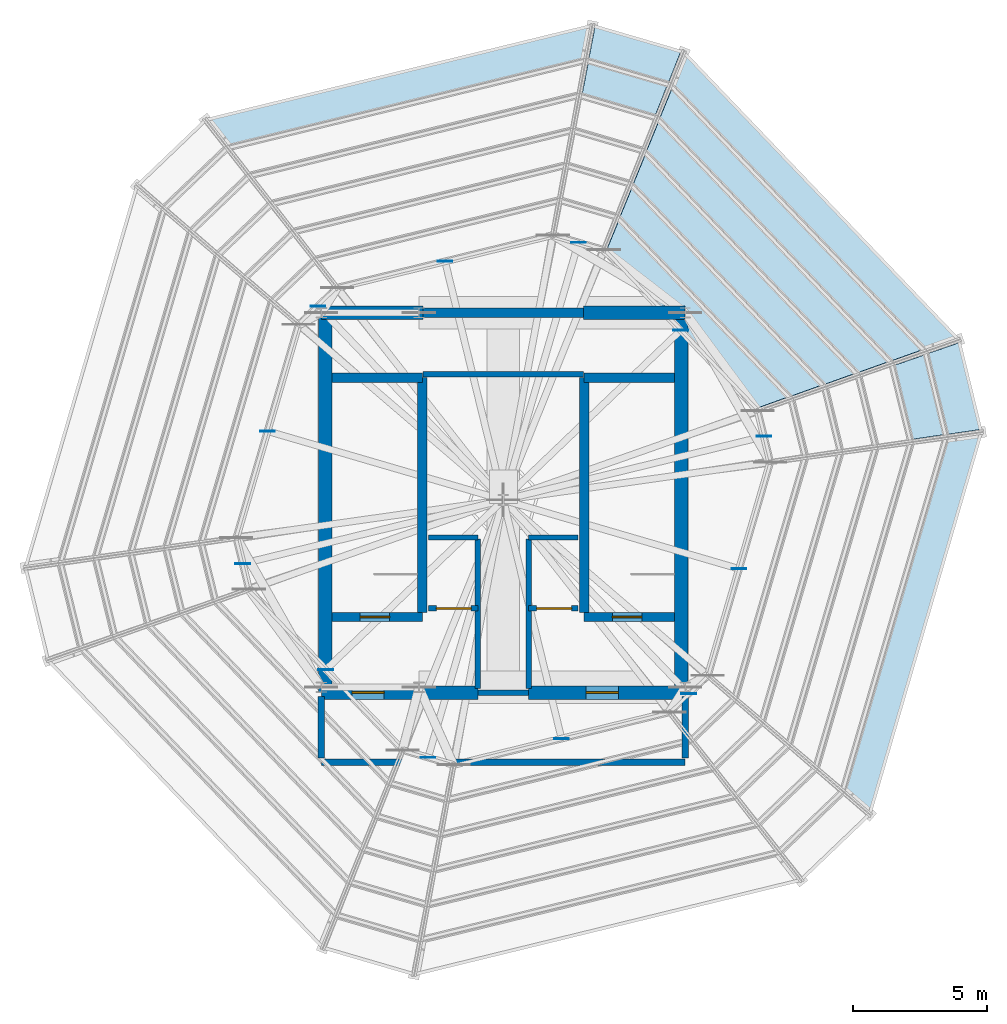
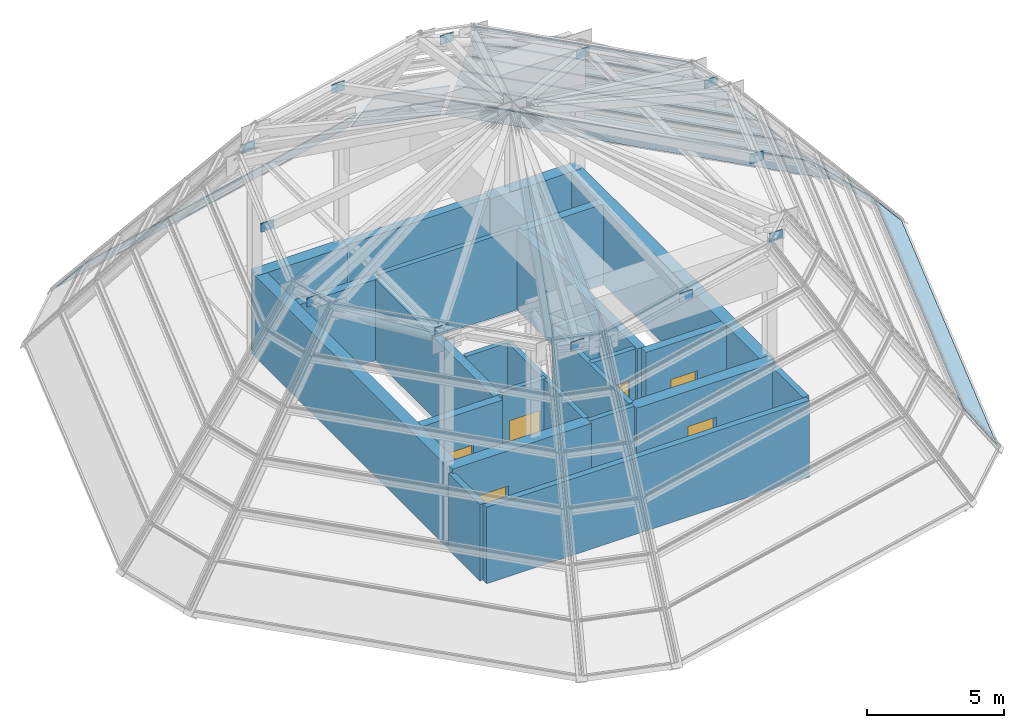
# One storey, part 12 of 13: 24 plates, 24 walls, 6 doors, 6 openings, 12 elements without a shape of their own.
"""IFC4 building model written with IfcOpenShell, lengths in metres."""

import ifcopenshell
import ifcopenshell.guid

model = None  # the IFC model being written
_history = None  # IfcOwnerHistory: only IFC2X3 demands one
_inside = {}  # id of a spatial element -> (the spatial element, [elements in it])
_under = {}  # id of a project, library or spatial element -> (it, [spatial elements below it])
_declared = {}  # id of a project -> (the project, [libraries it declares])
_typed = {}  # id of a type object -> (the type object, [elements of that type])
_made_of = {}  # id of a material, layer set ... -> (it, [elements and type objects made of it])


def new_model(schema):
    """Start an empty IFC model of exactly this schema.

    Asked for "IFC4X3", IfcOpenShell would pick the latest addendum, in which some entities
    have other attributes; the version numbers below select the first issue.
    IFC2X3 requires an IfcOwnerHistory on every rooted entity: one is made here for all.
    """
    global model, _history
    if schema == "IFC4X3":
        model = ifcopenshell.file(schema_version=(4, 3, 0, 0))
    else:
        model = ifcopenshell.file(schema=schema)
    _inside.clear()
    _under.clear()
    _declared.clear()
    _typed.clear()
    _made_of.clear()
    _history = None
    if model.schema == "IFC2X3":
        org = make("IfcOrganization", Name="unknown")
        user = make(
            "IfcPersonAndOrganization",
            ThePerson=make("IfcPerson", FamilyName="unknown"),
            TheOrganization=org,
        )
        app = make(
            "IfcApplication",
            ApplicationDeveloper=org,
            Version="unknown",
            ApplicationFullName="unknown",
            ApplicationIdentifier="unknown",
        )
        _history = make(
            "IfcOwnerHistory",
            OwningUser=user,
            OwningApplication=app,
            ChangeAction="ADDED",
            CreationDate=0,
        )
    return model


def make(cls, **values):
    """One entity of the class cls with the attributes given. An attribute that is None is left unset."""
    return model.create_entity(
        cls, **{name: value for name, value in values.items() if value is not None}
    )


def rooted(cls, **values):
    """An entity with a GlobalId (a new one), such as an element, a storey or a relation."""
    return make(cls, GlobalId=ifcopenshell.guid.new(), OwnerHistory=_history, **values)


def si_unit(unit_type, name, prefix=None):
    """IfcSIUnit, for example si_unit("LENGTHUNIT", "METRE", prefix="MILLI")."""
    return make("IfcSIUnit", UnitType=unit_type, Prefix=prefix, Name=name)


def assignment(units):
    """IfcUnitAssignment: the units of a project."""
    return None if units is None else make("IfcUnitAssignment", Units=units)


def point(xyz):
    """IfcCartesianPoint."""
    return None if xyz is None else make("IfcCartesianPoint", Coordinates=xyz)


def direction(xyz):
    """IfcDirection."""
    return None if xyz is None else make("IfcDirection", DirectionRatios=xyz)


def frame(location, z_axis=None, x_axis=None):
    """IfcAxis2Placement3D, a coordinate frame: its origin and axes. An axis left out is left unset."""
    return make(
        "IfcAxis2Placement3D",
        Location=point(location),
        Axis=direction(z_axis),
        RefDirection=direction(x_axis),
    )


def frame_2d(location, x_axis=None):
    """IfcAxis2Placement2D, a coordinate frame in the plane: its origin and x axis."""
    return make(
        "IfcAxis2Placement2D", Location=point(location), RefDirection=direction(x_axis)
    )


def origin():
    """The frame at (0, 0, 0) with its axes left unset."""
    return frame((0.0, 0.0, 0.0))


def origin_2d():
    """The frame at (0, 0) in the plane with its x axis left unset."""
    return frame_2d((0.0, 0.0))


def place(relative_to, where):
    """IfcLocalPlacement: puts the frame where relative to a parent placement (None: the world)."""
    return make(
        "IfcLocalPlacement", PlacementRelTo=relative_to, RelativePlacement=where
    )


def context(
    kind, dimensions, precision=None, world=None, true_north=None, identifier=None
):
    """IfcGeometricRepresentationContext, for example the 3D "Model" context."""
    return make(
        "IfcGeometricRepresentationContext",
        ContextIdentifier=identifier,
        ContextType=kind,
        CoordinateSpaceDimension=dimensions,
        Precision=precision,
        WorldCoordinateSystem=world,
        TrueNorth=true_north,
    )


def subcontext(parent, identifier, kind, view, scale=None):
    """IfcGeometricRepresentationSubContext, for example "Body" below "Model"."""
    return make(
        "IfcGeometricRepresentationSubContext",
        ContextIdentifier=identifier,
        ContextType=kind,
        ParentContext=parent,
        TargetScale=scale,
        TargetView=view,
    )


def project(units=None, contexts=None):
    """IfcProject with its units and contexts."""
    return rooted(
        "IfcProject",
        Name="project",
        RepresentationContexts=contexts,
        UnitsInContext=assignment(units),
    )


def spatial(cls, under=None, at=None, **own):
    """A site, building, storey or space (cls), placed at a placement, below another one or the project."""
    s = rooted(cls, ObjectPlacement=at, **own)
    if under is not None:
        _under.setdefault(under.id(), (under, []))[1].append(s)
    return s


def polyline(points):
    """IfcPolyline through the points."""
    return make("IfcPolyline", Points=[point(p) for p in points])


def profile(cls, at=None, kind="AREA", **sizes):
    """A parametric profile (cls). Its sizes go by their IFC names, for example OverallWidth=200.0."""
    return make(cls, ProfileType=kind, Position=at, **sizes)


def rectangle(**sizes):
    """IfcRectangleProfileDef."""
    return profile("IfcRectangleProfileDef", **sizes)


def outline(outer, holes=None, kind="AREA"):
    """IfcArbitraryClosedProfileDef: a profile drawn as a closed curve; with holes, ...WithVoids."""
    if holes is None:
        return make("IfcArbitraryClosedProfileDef", ProfileType=kind, OuterCurve=outer)
    return make(
        "IfcArbitraryProfileDefWithVoids",
        ProfileType=kind,
        OuterCurve=outer,
        InnerCurves=holes,
    )


def extrude(swept, where, along, depth):
    """IfcExtrudedAreaSolid: the profile swept, set in the frame where, extruded along a direction by depth."""
    return make(
        "IfcExtrudedAreaSolid",
        SweptArea=swept,
        Position=where,
        ExtrudedDirection=direction(along),
        Depth=depth,
    )


def shape(context_of_items, identifier, shape_type, items):
    """IfcShapeRepresentation: the items that make up one representation, for example the "Body"."""
    return make(
        "IfcShapeRepresentation",
        ContextOfItems=context_of_items,
        RepresentationIdentifier=identifier,
        RepresentationType=shape_type,
        Items=items,
    )


def source(mapping_origin, context_of_items, identifier, shape_type, items):
    """IfcRepresentationMap: a shape defined once, which mapped items show again and again."""
    return make(
        "IfcRepresentationMap",
        MappingOrigin=mapping_origin,
        MappedRepresentation=shape(context_of_items, identifier, shape_type, items),
    )


def transform(
    local_origin,
    x_axis=None,
    y_axis=None,
    z_axis=None,
    scale=None,
    scale2=None,
    scale3=None,
    uniform=True,
):
    """IfcCartesianTransformationOperator3D, or its non-uniform kind. x_axis, y_axis, z_axis: its Axis1, 2, 3."""
    if uniform:
        return make(
            "IfcCartesianTransformationOperator3D",
            Axis1=direction(x_axis),
            Axis2=direction(y_axis),
            LocalOrigin=point(local_origin),
            Scale=scale,
            Axis3=direction(z_axis),
        )
    return make(
        "IfcCartesianTransformationOperator3DnonUniform",
        Axis1=direction(x_axis),
        Axis2=direction(y_axis),
        LocalOrigin=point(local_origin),
        Scale=scale,
        Axis3=direction(z_axis),
        Scale2=scale2,
        Scale3=scale3,
    )


def mapped(mapping_source, mapping_target):
    """IfcMappedItem: shows the shape of a source again, moved by a transform."""
    return make(
        "IfcMappedItem", MappingSource=mapping_source, MappingTarget=mapping_target
    )


def material(Name=None, Category=None):
    """IfcMaterial."""
    return make("IfcMaterial", Name=Name, Category=Category)


def layer(
    of_material, thickness, ventilated=None, Name=None, Category=None, Priority=None
):
    """IfcMaterialLayer: one layer of a wall or slab, of a material (None: an air gap)."""
    return make(
        "IfcMaterialLayer",
        Material=of_material,
        LayerThickness=thickness,
        IsVentilated=ventilated,
        Name=Name,
        Category=Category,
        Priority=Priority,
    )


def layer_set(layers, Name=None):
    """IfcMaterialLayerSet."""
    return make("IfcMaterialLayerSet", MaterialLayers=layers, LayerSetName=Name)


def made_of(thing, what):
    """Note that an element or type object is made of a material, layer set ...; save() writes the relation."""
    if what is not None:
        _made_of.setdefault(what.id(), (what, []))[1].append(thing)
    return thing


def type_object(cls, material=None, **own):
    """A type object (cls), such as IfcWallType, which elements share."""
    return made_of(rooted(cls, **own), material)


def element(
    cls,
    number,
    at=None,
    inside=None,
    cuts=None,
    type_object=None,
    material=None,
    context=None,
    identifier="Body",
    shape_type=None,
    held_by="IfcProductDefinitionShape",
    body=None,
    shapes=None,
    **own,
):
    """One element of the class cls, such as IfcWall. Its Tag is "e" and its number.

    at: its placement. inside: the storey or other place that contains it. cuts: it is an
    opening in that element (IfcRelVoidsElement). A single representation is given by context,
    identifier, shape_type and body (its items); several are given by shapes. held_by: the class
    of the entity that holds the representations. save() writes the other relations.
    """
    e = rooted(cls, Tag="e%d" % number, ObjectPlacement=at, **own)
    if body is not None:
        shapes = [shape(context, identifier, shape_type, body)]
    if shapes is not None:
        e.Representation = make(held_by, Representations=shapes)
    if inside is not None:
        _inside.setdefault(inside.id(), (inside, []))[1].append(e)
    if cuts is not None:
        rooted(
            "IfcRelVoidsElement", RelatingBuildingElement=cuts, RelatedOpeningElement=e
        )
    if type_object is not None:
        _typed.setdefault(type_object.id(), (type_object, []))[1].append(e)
    return made_of(e, material)


def fill(opening, filler):
    """IfcRelFillsElement: the door or window that sits in an opening."""
    return rooted(
        "IfcRelFillsElement",
        RelatingOpeningElement=opening,
        RelatedBuildingElement=filler,
    )


def aggregate(whole, parts):
    """IfcRelAggregates: a whole, such as a stair, and the parts it consists of."""
    return rooted("IfcRelAggregates", RelatingObject=whole, RelatedObjects=parts)


def save(model, path):
    """Write the relations noted so far, then the file.

    IfcRelAggregates (storeys below a building ...), IfcRelContainedInSpatialStructure (elements
    in a storey), IfcRelDefinesByType, IfcRelAssociatesMaterial and IfcRelDeclares: one each for
    every whole, place, type object, material and project.
    """
    for whole, parts in _under.values():
        aggregate(whole, parts)
    for where, things in _inside.values():
        rooted(
            "IfcRelContainedInSpatialStructure",
            RelatedElements=things,
            RelatingStructure=where,
        )
    for kind, things in _typed.values():
        rooted("IfcRelDefinesByType", RelatedObjects=things, RelatingType=kind)
    for what, things in _made_of.values():
        rooted("IfcRelAssociatesMaterial", RelatedObjects=things, RelatingMaterial=what)
    for by, libraries in _declared.values():
        rooted("IfcRelDeclares", RelatingContext=by, RelatedDefinitions=libraries)
    model.write(path)


model = new_model("IFC4")

# Units and contexts
model_context = context("Model", 3, precision=1e-05, world=origin(), true_north=direction((0.0, 1.0)))
body_context = subcontext(model_context, "Body", "Model", "MODEL_VIEW")
ifc_project = project(units=[si_unit("LENGTHUNIT", "METRE"), si_unit("AREAUNIT", "SQUARE_METRE"), si_unit("VOLUMEUNIT", "CUBIC_METRE"), si_unit("PLANEANGLEUNIT", "RADIAN"), si_unit("MASSUNIT", "GRAM", prefix="KILO")], contexts=[model_context])

# Site, building, storey
site_placement = place(None, origin())
site = spatial("IfcSite", under=ifc_project, at=site_placement, CompositionType="ELEMENT")
building_placement = place(site_placement, origin())
building = spatial("IfcBuilding", under=site, at=building_placement, Name="Veraguas Prism Commons", CompositionType="ELEMENT")
storey_placement = place(building_placement, frame((0.0, 0.0, 268.89990234375)))
storey = spatial("IfcBuildingStorey", under=building, at=storey_placement, Name="RF", CompositionType="ELEMENT", Elevation=268.89990234375)

# Curtain wall, plate
ifc_material_1 = material(Name="Anodised aluminium EN AW-6063 T6", Category="aluminium")
ifc_layer_1 = layer(ifc_material_1, 0.199951171875, Name="Faceted Glass Point Crown Curtain Wall", Category="aluminium")
ifc_layer_set_1 = layer_set([ifc_layer_1], Name="Anodised aluminium EN AW-6063 T6")
curtain_wall_type = type_object("IfcCurtainWallType", Name="Faceted Glass Point Crown Curtain Wall", PredefinedType="NOTDEFINED", material=ifc_layer_set_1)
curtain_wall_1_placement = place(storey_placement, origin())
curtain_wall_1 = element("IfcCurtainWall", 1, at=curtain_wall_1_placement, inside=storey, type_object=curtain_wall_type, Name="Crown Glass-Point Facet T1-F01", PredefinedType="NOTDEFINED")
ifc_material_2 = material(Name="Laminated low-e glass", Category="glass")
ifc_layer_2 = layer(ifc_material_2, 0.035888671875, Name="Faceted Crown Laminated Glazed Panel 36", Category="glass")
ifc_layer_set_2 = layer_set([ifc_layer_2], Name="Laminated low-e glass")
plate_type_1 = type_object("IfcPlateType", Name="Faceted Crown Laminated Glazed Panel 36", PredefinedType="CURTAIN_PANEL", material=ifc_layer_set_2)
plate_1_placement = place(storey_placement, frame((41.813720703125, 26.632568359375, 0.050048828125), z_axis=(0.745213240657, 0.181945976097, 0.641523879315), x_axis=(-0.237188415422, 0.971463666629, 3.184036e-06)))
plate_1 = element("IfcPlate", 2, at=plate_1_placement, type_object=plate_type_1, Name="CW-CRN Panel 1.1", PredefinedType="CURTAIN_PANEL", context=body_context, shape_type="SweptSolid", body=[
    extrude(outline(polyline([(0.0, 0.0), (3.3349609375, 0.0), (3.21826171875, 1.933837890625), (0.116943359375, 1.933837890625), (0.0, 0.0)])), origin(), (0.0, 0.0, -1.0), 0.035888671875),
])
aggregate(curtain_wall_1, [plate_1])

curtain_wall_2_placement = place(storey_placement, origin())
curtain_wall_2 = element("IfcCurtainWall", 3, at=curtain_wall_2_placement, inside=storey, type_object=curtain_wall_type, Name="Crown Glass-Point Facet T1-F02", PredefinedType="NOTDEFINED")
plate_2_placement = place(storey_placement, frame((40.9208984375, 30.058349609375, 0.050048828125), z_axis=(0.573830750872, 0.548764039567, 0.607927872557), x_axis=(-0.691145761344, 0.722715391129, 7.79206e-07)))
plate_2 = element("IfcPlate", 4, at=plate_2_placement, type_object=plate_type_1, Name="CW-CRN Panel 1.1", PredefinedType="CURTAIN_PANEL", context=body_context, shape_type="SweptSolid", body=[
    extrude(outline(polyline([(0.0, 0.0), (14.63232421875, 0.0), (14.12451171875, 1.8681640625), (0.507568359375, 1.868408203125), (0.0, 0.0)])), origin(), (0.0, 0.0, -1.0), 0.035888671875),
])
aggregate(curtain_wall_2, [plate_2])

curtain_wall_3_placement = place(storey_placement, origin())
curtain_wall_3 = element("IfcCurtainWall", 5, at=curtain_wall_3_placement, inside=storey, type_object=curtain_wall_type, Name="Crown Glass-Point Facet T1-F03", PredefinedType="NOTDEFINED")
plate_3_placement = place(storey_placement, frame((30.626708984375, 40.743408203125, 0.050048828125), z_axis=(0.215068177497, 0.736341527745, 0.641519160701), x_axis=(-0.959897526382, 0.280351098869, 1.4426906e-05)))
plate_3 = element("IfcPlate", 6, at=plate_3_placement, type_object=plate_type_1, Name="CW-CRN Panel 1.1", PredefinedType="CURTAIN_PANEL", context=body_context, shape_type="SweptSolid", body=[
    extrude(outline(polyline([(0.0, 0.0), (3.334716796875, 0.0), (3.218017578125, 1.93359375), (0.11669921875, 1.933837890625), (0.0, 0.0)])), origin(), (0.0, 0.0, -1.0), 0.035888671875),
])
aggregate(curtain_wall_3, [plate_3])

curtain_wall_4_placement = place(storey_placement, origin())
curtain_wall_4 = element("IfcCurtainWall", 7, at=curtain_wall_4_placement, inside=storey, type_object=curtain_wall_type, Name="Crown Glass-Point Facet T1-F04", PredefinedType="NOTDEFINED")
plate_4_placement = place(storey_placement, frame((27.2138671875, 41.68310546875, 0.050048828125), z_axis=(-0.188322034635, 0.771327804383, 0.607937685505), x_axis=(-0.971463650577, -0.237188481163, 3.387106e-06)))
plate_4 = element("IfcPlate", 8, at=plate_4_placement, type_object=plate_type_1, Name="CW-CRN Panel 1.1", PredefinedType="CURTAIN_PANEL", context=body_context, shape_type="SweptSolid", body=[
    extrude(outline(polyline([(0.0, 0.0), (14.63232421875, 0.0), (14.124755859375, 1.8681640625), (0.507568359375, 1.868408203125), (0.0, 0.0)])), origin(), (0.0, 0.0, -1.0), 0.035888671875),
])
aggregate(curtain_wall_4, [plate_4])

curtain_wall_5_placement = place(storey_placement, origin())
curtain_wall_5 = element("IfcCurtainWall", 9, at=curtain_wall_5_placement, inside=storey, type_object=curtain_wall_type, Name="Crown Glass-Point Facet T1-F12", PredefinedType="NOTDEFINED")
plate_5_placement = place(storey_placement, frame((37.70703125, 12.375244140625, 0.050048828125), z_axis=(0.762156839558, -0.222579083692, 0.607927218849), x_axis=(0.280327366951, 0.959904457399, 2.030708e-06)))
plate_5 = element("IfcPlate", 10, at=plate_5_placement, type_object=plate_type_1, Name="CW-CRN Panel 1.1", PredefinedType="CURTAIN_PANEL", context=body_context, shape_type="SweptSolid", body=[
    extrude(outline(polyline([(0.0, 0.0), (14.63232421875, 0.0), (14.125, 1.8681640625), (0.507568359375, 1.868408203125), (0.0, 0.0)])), origin(), (0.0, 0.0, -1.0), 0.035888671875),
])
aggregate(curtain_wall_5, [plate_5])

curtain_wall_6_placement = place(storey_placement, origin())
curtain_wall_6 = element("IfcCurtainWall", 11, at=curtain_wall_6_placement, inside=storey, type_object=curtain_wall_type, Name="Crown Glass-Point Facet T2-F01", PredefinedType="NOTDEFINED")
plate_6_placement = place(storey_placement, frame((40.49609375, 26.4462890625, 1.63330078125), z_axis=(0.745231406785, 0.181967743605, 0.641496602195), x_axis=(-0.237213034213, 0.971457655458, 7.241851e-06)))
plate_6 = element("IfcPlate", 12, at=plate_6_placement, type_object=plate_type_1, Name="CW-CRN Panel 1.1", PredefinedType="CURTAIN_PANEL", context=body_context, shape_type="SweptSolid", body=[
    extrude(outline(polyline([(0.0, 0.0), (3.072021484375, 0.0), (2.9560546875, 1.93359375), (0.1162109375, 1.933837890625), (0.0, 0.0)])), origin(), (0.0, 0.0, -1.0), 0.035888671875),
])
aggregate(curtain_wall_6, [plate_6])

curtain_wall_7_placement = place(storey_placement, origin())
curtain_wall_7 = element("IfcCurtainWall", 13, at=curtain_wall_7_placement, inside=storey, type_object=curtain_wall_type, Name="Crown Glass-Point Facet T2-F02", PredefinedType="NOTDEFINED")
plate_7_placement = place(storey_placement, frame((39.66552734375, 29.61669921875, 1.63330078125), z_axis=(0.573816473129, 0.548745990787, 0.607957640598), x_axis=(-0.691141052036, 0.722719894692, -2.50636e-06)))
plate_7 = element("IfcPlate", 14, at=plate_7_placement, type_object=plate_type_1, Name="CW-CRN Panel 1.1", PredefinedType="CURTAIN_PANEL", context=body_context, shape_type="SweptSolid", body=[
    extrude(outline(polyline([(0.0, 0.0), (13.53515625, 0.0), (13.028076171875, 1.868408203125), (0.507080078125, 1.868408203125), (0.0, 0.0)])), origin(), (0.0, 0.0, -1.0), 0.035888671875),
])
aggregate(curtain_wall_7, [plate_7])

curtain_wall_8_placement = place(storey_placement, origin())
curtain_wall_8 = element("IfcCurtainWall", 15, at=curtain_wall_8_placement, inside=storey, type_object=curtain_wall_type, Name="Crown Glass-Point Facet T2-F03", PredefinedType="NOTDEFINED")
plate_8_placement = place(storey_placement, frame((30.12939453125, 39.509033203125, 1.63330078125), z_axis=(0.215075827671, 0.736339293349, 0.641519160604), x_axis=(-0.959889806374, 0.280377530454, -6.076306e-06)))
plate_8 = element("IfcPlate", 16, at=plate_8_placement, type_object=plate_type_1, Name="CW-CRN Panel 1.1", PredefinedType="CURTAIN_PANEL", context=body_context, shape_type="SweptSolid", body=[
    extrude(outline(polyline([(0.0, 0.0), (3.072021484375, 0.0), (2.955810546875, 1.933837890625), (0.115966796875, 1.933837890625), (0.0, 0.0)])), origin(), (0.0, 0.0, -1.0), 0.035888671875),
])
aggregate(curtain_wall_8, [plate_8])

curtain_wall_9_placement = place(storey_placement, origin())
curtain_wall_9 = element("IfcCurtainWall", 17, at=curtain_wall_9_placement, inside=storey, type_object=curtain_wall_type, Name="Crown Glass-Point Facet T3-F02", PredefinedType="NOTDEFINED")
plate_9_placement = place(storey_placement, frame((38.41015625, 29.17529296875, 3.216796875), z_axis=(0.573802598739, 0.548727520211, 0.60798740632), x_axis=(-0.691139122254, 0.722721740153, 1.91062e-07)))
plate_9 = element("IfcPlate", 18, at=plate_9_placement, type_object=plate_type_1, Name="CW-CRN Panel 1.1", PredefinedType="CURTAIN_PANEL", context=body_context, shape_type="SweptSolid", body=[
    extrude(outline(polyline([(0.0, 0.0), (12.43798828125, 0.0), (11.931640625, 1.868408203125), (0.506591796875, 1.868408203125), (0.0, 0.0)])), origin(), (0.0, 0.0, -1.0), 0.035888671875),
])
aggregate(curtain_wall_9, [plate_9])

curtain_wall_10_placement = place(storey_placement, origin())
curtain_wall_10 = element("IfcCurtainWall", 19, at=curtain_wall_10_placement, inside=storey, type_object=curtain_wall_type, Name="Crown Glass-Point Facet T4-F02", PredefinedType="NOTDEFINED")
plate_10_placement = place(storey_placement, frame((37.154541015625, 28.73388671875, 4.800048828125), z_axis=(0.573813650639, 0.548748942249, 0.607957640565), x_axis=(-0.691143713321, 0.722717349673, -4.414651e-06)))
plate_10 = element("IfcPlate", 20, at=plate_10_placement, type_object=plate_type_1, Name="CW-CRN Panel 1.1", PredefinedType="CURTAIN_PANEL", context=body_context, shape_type="SweptSolid", body=[
    extrude(outline(polyline([(0.0, 0.0), (11.340576171875, 0.0), (10.834716796875, 1.868408203125), (0.505859375, 1.8681640625), (0.0, 0.0)])), origin(), (0.0, 0.0, -1.0), 0.035888671875),
])
aggregate(curtain_wall_10, [plate_10])

curtain_wall_11_placement = place(storey_placement, origin())
curtain_wall_11 = element("IfcCurtainWall", 21, at=curtain_wall_11_placement, inside=storey, type_object=curtain_wall_type, Name="Crown Glass-Point Facet T5-F02", PredefinedType="NOTDEFINED")
plate_11_placement = place(storey_placement, frame((35.899169921875, 28.29248046875, 6.38330078125), z_axis=(0.573811545484, 0.548751143584, 0.607957640534), x_axis=(-0.691150172021, 0.722711173091, 2.246297e-06)))
plate_11 = element("IfcPlate", 22, at=plate_11_placement, type_object=plate_type_1, Name="CW-CRN Panel 1.1", PredefinedType="CURTAIN_PANEL", context=body_context, shape_type="SweptSolid", body=[
    extrude(outline(polyline([(0.0, 0.0), (10.2431640625, 0.0), (9.73828125, 1.868408203125), (0.5048828125, 1.868408203125), (0.0, 0.0)])), origin(), (0.0, 0.0, -1.0), 0.035888671875),
])
aggregate(curtain_wall_11, [plate_11])

curtain_wall_12_placement = place(storey_placement, origin())
curtain_wall_12 = element("IfcCurtainWall", 23, at=curtain_wall_12_placement, inside=storey, type_object=curtain_wall_type, Name="Crown Glass-Point Facet T6-F02", PredefinedType="NOTDEFINED")
plate_12_placement = place(storey_placement, frame((34.6435546875, 27.851318359375, 7.966796875), z_axis=(0.573787639321, 0.548711625688, 0.608015868869), x_axis=(-0.69113879897, 0.722722049308, 1.495534e-06)))
plate_12 = element("IfcPlate", 24, at=plate_12_placement, type_object=plate_type_1, Name="CW-CRN Panel 1.1", PredefinedType="CURTAIN_PANEL", context=body_context, shape_type="SweptSolid", body=[
    extrude(outline(polyline([(0.0, 0.0), (9.1455078125, 0.0), (8.641845703125, 1.868408203125), (0.503662109375, 1.868408203125), (0.0, 0.0)])), origin(), (0.0, 0.0, -1.0), 0.035888671875),
])
aggregate(curtain_wall_12, [plate_12])

# Plates
ifc_material_3 = material(Name="Steel ASTM A572 Grade 50", Category="steel")
ifc_layer_3 = layer(ifc_material_3, 0.030029296875, Name="Hollow Brace End Cap Plate 550x400x30", Category="steel")
ifc_layer_set_3 = layer_set([ifc_layer_3], Name="Steel ASTM A572 Grade 50")
plate_type_2 = type_object("IfcPlateType", Name="Hollow Brace End Cap Plate 550x400x30", PredefinedType="USERDEFINED", material=ifc_layer_set_3)
shared_shape_1 = source(origin(), body_context, "Body", "SweptSolid", [
    extrude(rectangle(XDim=0.550048828125, YDim=0.030029296875, at=origin_2d()), origin(), (0.0, 0.0, 1.0), 0.39990234375),
])
for number, where, z_axis, x_axis, name in (
    (25, (33.740234375, 26.3779296875, 8.8671875), (0.0, 0.0, 1.0), (1.0, 0.0, 0.0), "Crown Mid Rafter Seat Plate 01"),
    (26, (30.634521484375, 30.344482421875, 8.8671875), (0.0, 0.0, 1.0), (1.0, 0.0, 0.0), "Crown Mid Rafter Seat Plate 02"),
    (27, (26.810791015625, 33.624267578125, 8.8671875), (0.0, 0.0, 1.0), (1.0, 0.0, 0.0), "Crown Mid Rafter Seat Plate 03"),
    (28, (21.82275390625, 32.91796875, 8.8671875), (0.0, 0.0, 1.0), (1.0, 0.0, 0.0), "Crown Mid Rafter Seat Plate 04"),
    (29, (17.070556640625, 31.24609375, 8.8671875), (0.0, 0.0, 1.0), (1.0, 0.0, 0.0), "Crown Mid Rafter Seat Plate 05"),
    (30, (15.188232421875, 26.573486328125, 8.8671875), (0.0, 0.0, 1.0), (1.0, 0.0, 0.0), "Crown Mid Rafter Seat Plate 06"),
    (31, (14.259765625, 21.6220703125, 8.8671875), (0.0, 0.0, 1.0), (1.0, 0.0, 0.0), "Crown Mid Rafter Seat Plate 07"),
    (32, (17.365478515625, 17.655517578125, 8.8671875), (0.0, 0.0, 1.0), (1.0, 0.0, 0.0), "Crown Mid Rafter Seat Plate 08"),
    (33, (21.189208984375, 14.375732421875, 8.8671875), (0.0, 0.0, 1.0), (1.0, 0.0, 0.0), "Crown Mid Rafter Seat Plate 09"),
    (34, (26.17724609375, 15.08203125, 8.8671875), (0.0, 0.0, 1.0), (1.0, 0.0, 0.0), "Crown Mid Rafter Seat Plate 10"),
    (35, (30.929443359375, 16.75390625, 8.8671875), (0.0, 0.0, 1.0), (1.0, 0.0, 0.0), "Crown Mid Rafter Seat Plate 11"),
    (36, (32.811767578125, 21.426513671875, 8.8671875), (0.0, 0.0, 1.0), (1.0, 0.0, 0.0), "Crown Mid Rafter Seat Plate 12"),
):
    element("IfcPlate", number, at=place(storey_placement, frame(where, z_axis=z_axis, x_axis=x_axis)), inside=storey, type_object=plate_type_2, Name=name, ObjectType="STIFFENER PLATE", PredefinedType="USERDEFINED", context=body_context, shape_type="MappedRepresentation", body=[
        mapped(shared_shape_1, transform((0.0, 0.0, 0.0), scale=1.0)),
    ])

# Wall
ifc_material_4 = material(Name="Concrete C50/60", Category="concrete")
ifc_layer_4 = layer(ifc_material_4, 0.35009765625, Name="Core Internal Shear Wall Upper RC 350", Category="concrete")
ifc_layer_set_4 = layer_set([ifc_layer_4], Name="Concrete C50/60")
wall_type_1 = type_object("IfcWallType", Name="Core Internal Shear Wall Upper RC 350", PredefinedType="SHEAR", material=ifc_layer_set_4)
wall_1_placement = place(storey_placement, frame((21.0, 31.0, 0.0), z_axis=(0.0, 0.0, 1.0), x_axis=(1.0, 0.0, 0.0)))
element("IfcWall", 37, at=wall_1_placement, inside=storey, type_object=wall_type_1, Name="High-Rise Lift Bank Front Shear Wall RF", PredefinedType="SHEAR", context=body_context, shape_type="SweptSolid", body=[
    extrude(rectangle(XDim=6.0, YDim=0.35009765625, at=frame_2d((3.0, 0.0))), origin(), (0.0, 0.0, 1.0), 3.60009765625),
])

# Wall, opening, door
wall_2_placement = place(storey_placement, frame((17.60009765625, 19.625, 0.0), z_axis=(0.0, 0.0, 1.0), x_axis=(1.0, 0.0, 0.0)))
wall_2 = element("IfcWall", 38, at=wall_2_placement, inside=storey, type_object=wall_type_1, Name="Stair ST-01 South Shear Wall RF", PredefinedType="SHEAR", context=body_context, shape_type="SweptSolid", body=[
    extrude(rectangle(XDim=3.375, YDim=0.35009765625, at=frame_2d((1.6875, 0.0))), origin(), (0.0, 0.0, 1.0), 3.60009765625),
])
opening_1_placement = place(wall_2_placement, frame((1.050048828125, 0.0, 0.0)))
opening_1 = element("IfcOpeningElement", 39, at=opening_1_placement, cuts=wall_2, Name="Opening DR-05", PredefinedType="OPENING", context=body_context, shape_type="SweptSolid", body=[
    extrude(rectangle(XDim=1.10009765625, YDim=2.030029296875, at=frame_2d((0.550048828125, 1.01513671875))), frame((0.0, 0.18505859375, 0.0), z_axis=(0.0, -1.0, 0.0), x_axis=(1.0, 0.0, 0.0)), (0.0, 0.0, 1.0), 0.3701171875),
])
ifc_material_5 = material(Name="Steel fire-rated door assembly", Category="steel")
door_type_1 = type_object("IfcDoorType", Name="Protected Stair and Refuge Fire Door 1100x2030", OperationType="NOTDEFINED", PredefinedType="DOOR", material=ifc_material_5)
shared_shape_2 = source(origin(), body_context, "Body", "SweptSolid", [
    extrude(rectangle(XDim=1.10009765625, YDim=2.030029296875, at=frame_2d((0.550048828125, 1.01513671875))), frame((0.0, 0.02490234375, 0.0), z_axis=(0.0, -1.0, 0.0), x_axis=(1.0, 0.0, 0.0)), (0.0, 0.0, 1.0), 0.050048828125),
])
door_1_placement = place(opening_1_placement, origin())
door_1 = element("IfcDoor", 40, at=door_1_placement, inside=storey, type_object=door_type_1, Name="Stair ST-01 Enclosure Door RF", OperationType="SINGLE_SWING_RIGHT", OverallHeight=2.030029296875, OverallWidth=1.10009765625, PredefinedType="DOOR", context=body_context, shape_type="MappedRepresentation", body=[
    mapped(shared_shape_2, transform((0.0, 0.0, 0.0), scale=1.0)),
])
fill(opening_1, door_1)

wall_3_placement = place(storey_placement, frame((27.02490234375, 19.625, 0.0), z_axis=(0.0, 0.0, 1.0), x_axis=(1.0, 0.0, 0.0)))
wall_3 = element("IfcWall", 41, at=wall_3_placement, inside=storey, type_object=wall_type_1, Name="Stair ST-02 South Shear Wall RF", PredefinedType="SHEAR", context=body_context, shape_type="SweptSolid", body=[
    extrude(rectangle(XDim=3.375, YDim=0.35009765625, at=frame_2d((1.6875, 0.0))), origin(), (0.0, 0.0, 1.0), 3.60009765625),
])
opening_2_placement = place(wall_3_placement, frame((1.050048828125, 0.0, 0.0)))
opening_2 = element("IfcOpeningElement", 42, at=opening_2_placement, cuts=wall_3, Name="Opening DR-05", PredefinedType="OPENING", context=body_context, shape_type="SweptSolid", body=[
    extrude(rectangle(XDim=1.10009765625, YDim=2.030029296875, at=frame_2d((0.550048828125, 1.01513671875))), frame((0.0, 0.18505859375, 0.0), z_axis=(0.0, -1.0, 0.0), x_axis=(1.0, 0.0, 0.0)), (0.0, 0.0, 1.0), 0.3701171875),
])
door_2_placement = place(opening_2_placement, origin())
door_2 = element("IfcDoor", 43, at=door_2_placement, inside=storey, type_object=door_type_1, Name="Stair ST-02 Enclosure Door RF", OperationType="SINGLE_SWING_LEFT", OverallHeight=2.030029296875, OverallWidth=1.10009765625, PredefinedType="DOOR", context=body_context, shape_type="MappedRepresentation", body=[
    mapped(shared_shape_2, transform((0.0, 0.0, 0.0), scale=1.0)),
])
fill(opening_2, door_2)

# Walls
for number, where, z_axis, x_axis, name in (
    (44, (20.97509765625, 19.800048828125, 0.0), (0.0, 0.0, 1.0), (0.0, 1.0, 0.0), "Stair ST-01 Inner Shear Wall RF"),
    (45, (27.02490234375, 19.800048828125, 0.0), (0.0, 0.0, 1.0), (0.0, 1.0, 0.0), "Stair ST-02 Inner Shear Wall RF"),
):
    element("IfcWall", number, at=place(storey_placement, frame(where, z_axis=z_axis, x_axis=x_axis)), inside=storey, type_object=wall_type_1, Name=name, PredefinedType="SHEAR", context=body_context, shape_type="SweptSolid", body=[
        extrude(rectangle(XDim=8.77490234375, YDim=0.35009765625, at=frame_2d((4.387451171875, 0.0))), origin(), (0.0, 0.0, 1.0), 3.60009765625),
    ])
for number, where, z_axis, x_axis, name in (
    (46, (17.60009765625, 28.574951171875, 0.0), (0.0, 0.0, 1.0), (1.0, 0.0, 0.0), "Stair ST-01 North Shear Wall RF"),
    (47, (27.02490234375, 28.574951171875, 0.0), (0.0, 0.0, 1.0), (1.0, 0.0, 0.0), "Stair ST-02 North Shear Wall RF"),
):
    element("IfcWall", number, at=place(storey_placement, frame(where, z_axis=z_axis, x_axis=x_axis)), inside=storey, type_object=wall_type_1, Name=name, PredefinedType="SHEAR", context=body_context, shape_type="SweptSolid", body=[
        extrude(rectangle(XDim=3.375, YDim=0.35009765625, at=frame_2d((1.6875, 0.0))), origin(), (0.0, 0.0, 1.0), 3.60009765625),
    ])
ifc_layer_5 = layer(ifc_material_4, 0.5, Name="Core Outer Shear Wall Upper RC 500", Category="concrete")
ifc_layer_set_5 = layer_set([ifc_layer_5], Name="Concrete C50/60")
wall_type_2 = type_object("IfcWallType", Name="Core Outer Shear Wall Upper RC 500", PredefinedType="SHEAR", material=ifc_layer_set_5)
for number, where, z_axis, x_axis, name in (
    (48, (17.35009765625, 16.800048828125, 0.0), (0.0, 0.0, 1.0), (0.0, 1.0, 0.0), "Central Core West Shear Wall RF"),
    (49, (30.64990234375, 16.800048828125, 0.0), (0.0, 0.0, 1.0), (0.0, 1.0, 0.0), "Central Core East Shear Wall RF"),
):
    element("IfcWall", number, at=place(storey_placement, frame(where, z_axis=z_axis, x_axis=x_axis)), inside=storey, type_object=wall_type_2, Name=name, PredefinedType="SHEAR", context=body_context, shape_type="SweptSolid", body=[
        extrude(rectangle(XDim=14.199951171875, YDim=0.5, at=frame_2d((7.10009765625, 0.0))), origin(), (0.0, 0.0, 1.0), 3.60009765625),
    ])

# Wall, opening, door
wall_4_placement = place(storey_placement, frame((17.199951171875, 16.800048828125, 0.0), z_axis=(0.0, 0.0, 1.0), x_axis=(1.0, 0.0, 0.0)))
wall_4 = element("IfcWall", 50, at=wall_4_placement, inside=storey, type_object=wall_type_2, Name="Central Core South-West Shear Wall RF", PredefinedType="SHEAR", context=body_context, shape_type="SweptSolid", body=[
    extrude(rectangle(XDim=5.85009765625, YDim=0.5, at=frame_2d((2.925048828125, 0.0))), origin(), (0.0, 0.0, 1.0), 3.60009765625),
])
opening_3_placement = place(wall_4_placement, frame((1.14990234375, 0.0, 0.0)))
opening_3 = element("IfcOpeningElement", 51, at=opening_3_placement, cuts=wall_4, Name="Opening DR-06", PredefinedType="OPENING", context=body_context, shape_type="SweptSolid", body=[
    extrude(rectangle(XDim=1.199951171875, YDim=2.030029296875, at=frame_2d((0.60009765625, 1.01513671875))), frame((0.0, 0.260009765625, 0.0), z_axis=(0.0, -1.0, 0.0), x_axis=(1.0, 0.0, 0.0)), (0.0, 0.0, 1.0), 0.52001953125),
])
door_type_2 = type_object("IfcDoorType", Name="Firefighting Lobby Smoke Door 1200x2030", OperationType="NOTDEFINED", PredefinedType="DOOR", material=ifc_material_5)
shared_shape_3 = source(origin(), body_context, "Body", "SweptSolid", [
    extrude(rectangle(XDim=1.199951171875, YDim=2.030029296875, at=frame_2d((0.60009765625, 1.01513671875))), frame((0.0, 0.02490234375, 0.0), z_axis=(0.0, -1.0, 0.0), x_axis=(1.0, 0.0, 0.0)), (0.0, 0.0, 1.0), 0.050048828125),
])
door_3_placement = place(opening_3_placement, origin())
door_3 = element("IfcDoor", 52, at=door_3_placement, inside=storey, type_object=door_type_2, Name="West FF Lobby Door RF", OperationType="SINGLE_SWING_RIGHT", OverallHeight=2.030029296875, OverallWidth=1.199951171875, PredefinedType="DOOR", context=body_context, shape_type="MappedRepresentation", body=[
    mapped(shared_shape_3, transform((0.0, 0.0, 0.0), scale=1.0)),
])
fill(opening_3, door_3)

wall_5_placement = place(storey_placement, frame((24.949951171875, 16.800048828125, 0.0), z_axis=(0.0, 0.0, 1.0), x_axis=(1.0, 0.0, 0.0)))
wall_5 = element("IfcWall", 53, at=wall_5_placement, inside=storey, type_object=wall_type_2, Name="Central Core South-East Shear Wall RF", PredefinedType="SHEAR", context=body_context, shape_type="SweptSolid", body=[
    extrude(rectangle(XDim=5.85009765625, YDim=0.5, at=frame_2d((2.925048828125, 0.0))), origin(), (0.0, 0.0, 1.0), 3.60009765625),
])
opening_4_placement = place(wall_5_placement, frame((2.14990234375, 0.0, 0.0)))
opening_4 = element("IfcOpeningElement", 54, at=opening_4_placement, cuts=wall_5, Name="Opening DR-06", PredefinedType="OPENING", context=body_context, shape_type="SweptSolid", body=[
    extrude(rectangle(XDim=1.199951171875, YDim=2.030029296875, at=frame_2d((0.60009765625, 1.01513671875))), frame((0.0, 0.260009765625, 0.0), z_axis=(0.0, -1.0, 0.0), x_axis=(1.0, 0.0, 0.0)), (0.0, 0.0, 1.0), 0.52001953125),
])
door_4_placement = place(opening_4_placement, origin())
door_4 = element("IfcDoor", 55, at=door_4_placement, inside=storey, type_object=door_type_2, Name="East FF Lobby Door RF", OperationType="SINGLE_SWING_LEFT", OverallHeight=2.030029296875, OverallWidth=1.199951171875, PredefinedType="DOOR", context=body_context, shape_type="MappedRepresentation", body=[
    mapped(shared_shape_3, transform((0.0, 0.0, 0.0), scale=1.0)),
])
fill(opening_4, door_4)

# Walls
for number, where, z_axis, x_axis, name in (
    (56, (17.199951171875, 31.0, 0.0), (0.0, 0.0, 1.0), (1.0, 0.0, 0.0), "Central Core North-West Shear Wall RF"),
    (57, (27.0, 31.0, 0.0), (0.0, 0.0, 1.0), (1.0, 0.0, 0.0), "Central Core North-East Shear Wall RF"),
):
    element("IfcWall", number, at=place(storey_placement, frame(where, z_axis=z_axis, x_axis=x_axis)), inside=storey, type_object=wall_type_2, Name=name, PredefinedType="SHEAR", context=body_context, shape_type="SweptSolid", body=[
        extrude(rectangle(XDim=3.800048828125, YDim=0.5, at=frame_2d((1.89990234375, 0.0))), origin(), (0.0, 0.0, 1.0), 3.60009765625),
    ])
ifc_material_6 = material(Name="Precast concrete C40/50", Category="concrete")
ifc_layer_6 = layer(ifc_material_6, 0.25, Name="External Loggia and Portal Wall 250", Category="concrete")
ifc_layer_set_6 = layer_set([ifc_layer_6], Name="Precast concrete C40/50")
wall_type_3 = type_object("IfcWallType", Name="External Loggia and Portal Wall 250", PredefinedType="SOLIDWALL", material=ifc_layer_set_6)
wall_6_placement = place(storey_placement, frame((17.199951171875, 14.199951171875, 0.0), z_axis=(0.0, 0.0, 1.0), x_axis=(1.0, 0.0, 0.0)))
element("IfcWall", 58, at=wall_6_placement, inside=storey, type_object=wall_type_3, Name="Crown Headhouse South Wall", PredefinedType="SOLIDWALL", context=body_context, shape_type="SweptSolid", body=[
    extrude(rectangle(XDim=13.60009765625, YDim=0.25, at=frame_2d((6.800048828125, 0.0))), origin(), (0.0, 0.0, 1.0), 3.400146484375),
])
for number, where, z_axis, x_axis, name in (
    (59, (17.199951171875, 14.35009765625, 0.0), (0.0, 0.0, 1.0), (0.0, 1.0, 0.0), "Crown Headhouse West Wall"),
    (60, (30.800048828125, 14.35009765625, 0.0), (0.0, 0.0, 1.0), (0.0, 1.0, 0.0), "Crown Headhouse East Wall"),
):
    element("IfcWall", number, at=place(storey_placement, frame(where, z_axis=z_axis, x_axis=x_axis)), inside=storey, type_object=wall_type_3, Name=name, PredefinedType="SOLIDWALL", context=body_context, shape_type="SweptSolid", body=[
        extrude(rectangle(XDim=2.2998046875, YDim=0.25, at=frame_2d((1.14990234375, 0.0))), origin(), (0.0, 0.0, 1.0), 3.400146484375),
    ])
ifc_material_7 = material(Name="Autoclaved aerated masonry block 10 MPa", Category="masonry")
ifc_layer_7 = layer(ifc_material_7, 0.199951171875, Name="Rated Shaft and Lobby Block Wall 200", Category="masonry")
ifc_layer_set_7 = layer_set([ifc_layer_7], Name="Autoclaved aerated masonry block 10 MPa")
wall_type_4 = type_object("IfcWallType", Name="Rated Shaft and Lobby Block Wall 200", PredefinedType="SOLIDWALL", material=ifc_layer_set_7)
wall_7_placement = place(storey_placement, frame((23.050048828125, 16.800048828125, 0.0), z_axis=(0.0, 0.0, 1.0), x_axis=(1.0, 0.0, 0.0)))
element("IfcWall", 61, at=wall_7_placement, inside=storey, type_object=wall_type_4, Name="Central Core Lobby Entrance Wall RF", PredefinedType="SOLIDWALL", context=body_context, shape_type="SweptSolid", body=[
    extrude(rectangle(XDim=1.89990234375, YDim=0.199951171875, at=frame_2d((0.949951171875, 0.0))), origin(), (0.0, 0.0, 1.0), 3.60009765625),
])

# Wall, opening, door
wall_8_placement = place(storey_placement, frame((21.199951171875, 19.949951171875, 0.0), z_axis=(0.0, 0.0, 1.0), x_axis=(1.0, 0.0, 0.0)))
wall_8 = element("IfcWall", 62, at=wall_8_placement, inside=storey, type_object=wall_type_4, Name="Firefighting Lift FFL-1 Front Wall RF", PredefinedType="SOLIDWALL", context=body_context, shape_type="SweptSolid", body=[
    extrude(rectangle(XDim=1.85009765625, YDim=0.199951171875, at=frame_2d((0.925048828125, 0.0))), origin(), (0.0, 0.0, 1.0), 3.60009765625),
])
opening_5_placement = place(wall_8_placement, frame((0.300048828125, 0.0, 0.0)))
opening_5 = element("IfcOpeningElement", 63, at=opening_5_placement, cuts=wall_8, Name="Opening LD-02", PredefinedType="OPENING", context=body_context, shape_type="SweptSolid", body=[
    extrude(rectangle(XDim=1.300048828125, YDim=2.25, at=frame_2d((0.64990234375, 1.125))), frame((0.0, 0.10986328125, 0.0), z_axis=(0.0, -1.0, 0.0), x_axis=(1.0, 0.0, 0.0)), (0.0, 0.0, 1.0), 0.219970703125),
])
ifc_material_8 = material(Name="Stainless steel AISI 316", Category="steel")
door_type_3 = type_object("IfcDoorType", Name="Firefighting Lift Sliding Landing Door 1300x2250", OperationType="NOTDEFINED", PredefinedType="DOOR", material=ifc_material_8)
shared_shape_4 = source(origin(), body_context, "Body", "SweptSolid", [
    extrude(rectangle(XDim=1.300048828125, YDim=2.25, at=frame_2d((0.64990234375, 1.125))), frame((0.0, 0.02490234375, 0.0), z_axis=(0.0, -1.0, 0.0), x_axis=(1.0, 0.0, 0.0)), (0.0, 0.0, 1.0), 0.050048828125),
])
door_5_placement = place(opening_5_placement, origin())
door_5 = element("IfcDoor", 64, at=door_5_placement, inside=storey, type_object=door_type_3, Name="Firefighting Lift FFL-1 Landing Door RF", OperationType="SLIDING_TO_LEFT", OverallHeight=2.25, OverallWidth=1.300048828125, PredefinedType="DOOR", context=body_context, shape_type="MappedRepresentation", body=[
    mapped(shared_shape_4, transform((0.0, 0.0, 0.0), scale=1.0)),
])
fill(opening_5, door_5)

wall_9_placement = place(storey_placement, frame((24.949951171875, 19.949951171875, 0.0), z_axis=(0.0, 0.0, 1.0), x_axis=(1.0, 0.0, 0.0)))
wall_9 = element("IfcWall", 65, at=wall_9_placement, inside=storey, type_object=wall_type_4, Name="Firefighting Lift FFL-2 Front Wall RF", PredefinedType="SOLIDWALL", context=body_context, shape_type="SweptSolid", body=[
    extrude(rectangle(XDim=1.85009765625, YDim=0.199951171875, at=frame_2d((0.925048828125, 0.0))), origin(), (0.0, 0.0, 1.0), 3.60009765625),
])
opening_6_placement = place(wall_9_placement, frame((0.300048828125, 0.0, 0.0)))
opening_6 = element("IfcOpeningElement", 66, at=opening_6_placement, cuts=wall_9, Name="Opening LD-02", PredefinedType="OPENING", context=body_context, shape_type="SweptSolid", body=[
    extrude(rectangle(XDim=1.300048828125, YDim=2.25, at=frame_2d((0.64990234375, 1.125))), frame((0.0, 0.10986328125, 0.0), z_axis=(0.0, -1.0, 0.0), x_axis=(1.0, 0.0, 0.0)), (0.0, 0.0, 1.0), 0.219970703125),
])
door_6_placement = place(opening_6_placement, origin())
door_6 = element("IfcDoor", 67, at=door_6_placement, inside=storey, type_object=door_type_3, Name="Firefighting Lift FFL-2 Front Wall RF", OperationType="SLIDING_TO_LEFT", OverallHeight=2.25, OverallWidth=1.300048828125, PredefinedType="DOOR", context=body_context, shape_type="MappedRepresentation", body=[
    mapped(shared_shape_4, transform((0.0, 0.0, 0.0), scale=1.0)),
])
fill(opening_6, door_6)

# Walls
for number, where, z_axis, x_axis, name in (
    (68, (23.050048828125, 16.949951171875, 0.0), (0.0, 0.0, 1.0), (0.0, 1.0, 0.0), "West FF Lobby Divider Wall RF"),
    (69, (24.949951171875, 16.949951171875, 0.0), (0.0, 0.0, 1.0), (0.0, 1.0, 0.0), "East FF Lobby Divider Wall RF"),
):
    element("IfcWall", number, at=place(storey_placement, frame(where, z_axis=z_axis, x_axis=x_axis)), inside=storey, type_object=wall_type_4, Name=name, PredefinedType="SOLIDWALL", context=body_context, shape_type="SweptSolid", body=[
        extrude(rectangle(XDim=5.60009765625, YDim=0.199951171875, at=frame_2d((2.800048828125, 0.0))), origin(), (0.0, 0.0, 1.0), 3.60009765625),
    ])
for number, where, z_axis, x_axis, name in (
    (70, (21.199951171875, 22.60009765625, 0.0), (0.0, 0.0, 1.0), (1.0, 0.0, 0.0), "Firefighting Lift FFL-1 Rear Wall RF"),
    (71, (24.949951171875, 22.60009765625, 0.0), (0.0, 0.0, 1.0), (1.0, 0.0, 0.0), "Firefighting Lift FFL-2 Rear Wall RF"),
):
    element("IfcWall", number, at=place(storey_placement, frame(where, z_axis=z_axis, x_axis=x_axis)), inside=storey, type_object=wall_type_4, Name=name, PredefinedType="SOLIDWALL", context=body_context, shape_type="SweptSolid", body=[
        extrude(rectangle(XDim=1.85009765625, YDim=0.199951171875, at=frame_2d((0.925048828125, 0.0))), origin(), (0.0, 0.0, 1.0), 3.60009765625),
    ])
wall_10_placement = place(storey_placement, frame((21.0, 28.699951171875, 0.0), z_axis=(0.0, 0.0, 1.0), x_axis=(1.0, 0.0, 0.0)))
element("IfcWall", 72, at=wall_10_placement, inside=storey, type_object=wall_type_4, Name="High-Rise Lift Bank Rear Shaft Wall RF", PredefinedType="SOLIDWALL", context=body_context, shape_type="SweptSolid", body=[
    extrude(rectangle(XDim=6.0, YDim=0.199951171875, at=frame_2d((3.0, 0.0))), origin(), (0.0, 0.0, 1.0), 3.60009765625),
])

save(model, "model.ifc")
